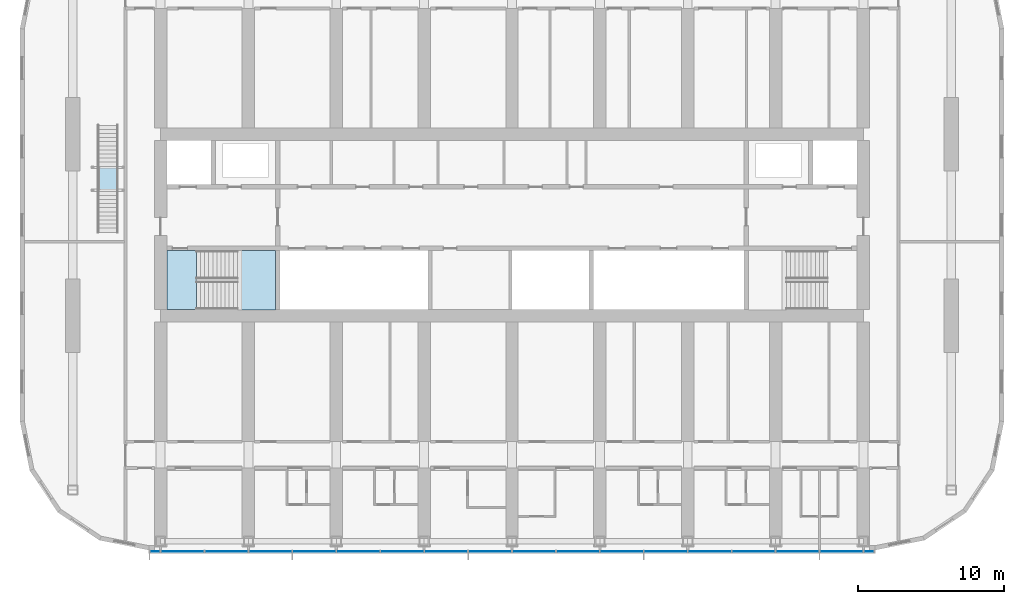
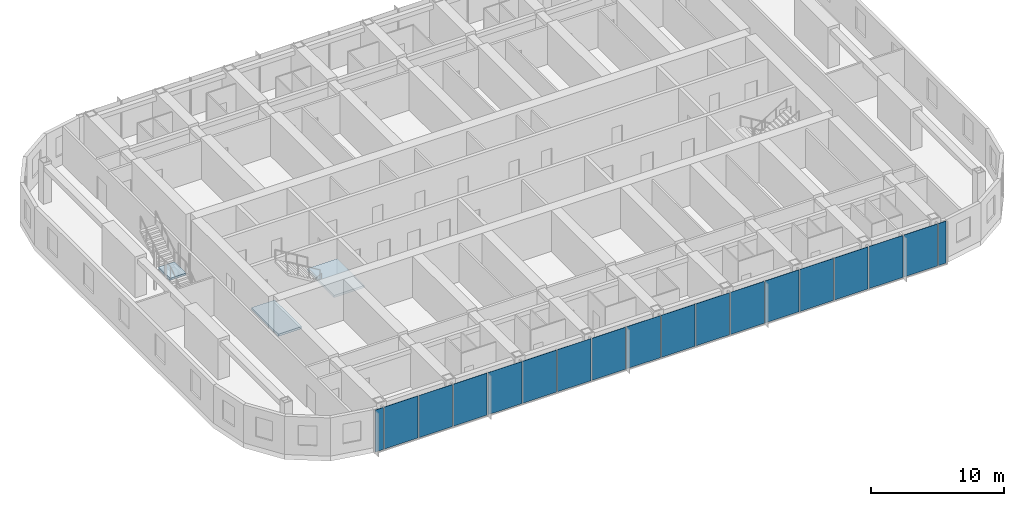
# One storey, part 9 of 27: 18 plates, 3 slabs, 3 elements without a shape of their own.
"""IFC4 building model written with IfcOpenShell, lengths in metres."""

import ifcopenshell
import ifcopenshell.guid

model = None  # the IFC model being written
_history = None  # IfcOwnerHistory: only IFC2X3 demands one
_inside = {}  # id of a spatial element -> (the spatial element, [elements in it])
_under = {}  # id of a project, library or spatial element -> (it, [spatial elements below it])
_declared = {}  # id of a project -> (the project, [libraries it declares])
_typed = {}  # id of a type object -> (the type object, [elements of that type])
_made_of = {}  # id of a material, layer set ... -> (it, [elements and type objects made of it])


def new_model(schema):
    """Start an empty IFC model of exactly this schema.

    Asked for "IFC4X3", IfcOpenShell would pick the latest addendum, in which some entities
    have other attributes; the version numbers below select the first issue.
    IFC2X3 requires an IfcOwnerHistory on every rooted entity: one is made here for all.
    """
    global model, _history
    if schema == "IFC4X3":
        model = ifcopenshell.file(schema_version=(4, 3, 0, 0))
    else:
        model = ifcopenshell.file(schema=schema)
    _inside.clear()
    _under.clear()
    _declared.clear()
    _typed.clear()
    _made_of.clear()
    _history = None
    if model.schema == "IFC2X3":
        org = make("IfcOrganization", Name="unknown")
        user = make(
            "IfcPersonAndOrganization",
            ThePerson=make("IfcPerson", FamilyName="unknown"),
            TheOrganization=org,
        )
        app = make(
            "IfcApplication",
            ApplicationDeveloper=org,
            Version="unknown",
            ApplicationFullName="unknown",
            ApplicationIdentifier="unknown",
        )
        _history = make(
            "IfcOwnerHistory",
            OwningUser=user,
            OwningApplication=app,
            ChangeAction="ADDED",
            CreationDate=0,
        )
    return model


def make(cls, **values):
    """One entity of the class cls with the attributes given. An attribute that is None is left unset."""
    return model.create_entity(
        cls, **{name: value for name, value in values.items() if value is not None}
    )


def rooted(cls, **values):
    """An entity with a GlobalId (a new one), such as an element, a storey or a relation."""
    return make(cls, GlobalId=ifcopenshell.guid.new(), OwnerHistory=_history, **values)


def si_unit(unit_type, name, prefix=None):
    """IfcSIUnit, for example si_unit("LENGTHUNIT", "METRE", prefix="MILLI")."""
    return make("IfcSIUnit", UnitType=unit_type, Prefix=prefix, Name=name)


def assignment(units):
    """IfcUnitAssignment: the units of a project."""
    return None if units is None else make("IfcUnitAssignment", Units=units)


def point(xyz):
    """IfcCartesianPoint."""
    return None if xyz is None else make("IfcCartesianPoint", Coordinates=xyz)


def direction(xyz):
    """IfcDirection."""
    return None if xyz is None else make("IfcDirection", DirectionRatios=xyz)


def frame(location, z_axis=None, x_axis=None):
    """IfcAxis2Placement3D, a coordinate frame: its origin and axes. An axis left out is left unset."""
    return make(
        "IfcAxis2Placement3D",
        Location=point(location),
        Axis=direction(z_axis),
        RefDirection=direction(x_axis),
    )


def frame_2d(location, x_axis=None):
    """IfcAxis2Placement2D, a coordinate frame in the plane: its origin and x axis."""
    return make(
        "IfcAxis2Placement2D", Location=point(location), RefDirection=direction(x_axis)
    )


def origin():
    """The frame at (0, 0, 0) with its axes left unset."""
    return frame((0.0, 0.0, 0.0))


def origin_2d():
    """The frame at (0, 0) in the plane with its x axis left unset."""
    return frame_2d((0.0, 0.0))


def place(relative_to, where):
    """IfcLocalPlacement: puts the frame where relative to a parent placement (None: the world)."""
    return make(
        "IfcLocalPlacement", PlacementRelTo=relative_to, RelativePlacement=where
    )


def context(
    kind, dimensions, precision=None, world=None, true_north=None, identifier=None
):
    """IfcGeometricRepresentationContext, for example the 3D "Model" context."""
    return make(
        "IfcGeometricRepresentationContext",
        ContextIdentifier=identifier,
        ContextType=kind,
        CoordinateSpaceDimension=dimensions,
        Precision=precision,
        WorldCoordinateSystem=world,
        TrueNorth=true_north,
    )


def subcontext(parent, identifier, kind, view, scale=None):
    """IfcGeometricRepresentationSubContext, for example "Body" below "Model"."""
    return make(
        "IfcGeometricRepresentationSubContext",
        ContextIdentifier=identifier,
        ContextType=kind,
        ParentContext=parent,
        TargetScale=scale,
        TargetView=view,
    )


def project(units=None, contexts=None):
    """IfcProject with its units and contexts."""
    return rooted(
        "IfcProject",
        Name="project",
        RepresentationContexts=contexts,
        UnitsInContext=assignment(units),
    )


def spatial(cls, under=None, at=None, **own):
    """A site, building, storey or space (cls), placed at a placement, below another one or the project."""
    s = rooted(cls, ObjectPlacement=at, **own)
    if under is not None:
        _under.setdefault(under.id(), (under, []))[1].append(s)
    return s


def polyline(points):
    """IfcPolyline through the points."""
    return make("IfcPolyline", Points=[point(p) for p in points])


def profile(cls, at=None, kind="AREA", **sizes):
    """A parametric profile (cls). Its sizes go by their IFC names, for example OverallWidth=200.0."""
    return make(cls, ProfileType=kind, Position=at, **sizes)


def rectangle(**sizes):
    """IfcRectangleProfileDef."""
    return profile("IfcRectangleProfileDef", **sizes)


def outline(outer, holes=None, kind="AREA"):
    """IfcArbitraryClosedProfileDef: a profile drawn as a closed curve; with holes, ...WithVoids."""
    if holes is None:
        return make("IfcArbitraryClosedProfileDef", ProfileType=kind, OuterCurve=outer)
    return make(
        "IfcArbitraryProfileDefWithVoids",
        ProfileType=kind,
        OuterCurve=outer,
        InnerCurves=holes,
    )


def extrude(swept, where, along, depth):
    """IfcExtrudedAreaSolid: the profile swept, set in the frame where, extruded along a direction by depth."""
    return make(
        "IfcExtrudedAreaSolid",
        SweptArea=swept,
        Position=where,
        ExtrudedDirection=direction(along),
        Depth=depth,
    )


def shape(context_of_items, identifier, shape_type, items):
    """IfcShapeRepresentation: the items that make up one representation, for example the "Body"."""
    return make(
        "IfcShapeRepresentation",
        ContextOfItems=context_of_items,
        RepresentationIdentifier=identifier,
        RepresentationType=shape_type,
        Items=items,
    )


def material(Name=None, Category=None):
    """IfcMaterial."""
    return make("IfcMaterial", Name=Name, Category=Category)


def layer(
    of_material, thickness, ventilated=None, Name=None, Category=None, Priority=None
):
    """IfcMaterialLayer: one layer of a wall or slab, of a material (None: an air gap)."""
    return make(
        "IfcMaterialLayer",
        Material=of_material,
        LayerThickness=thickness,
        IsVentilated=ventilated,
        Name=Name,
        Category=Category,
        Priority=Priority,
    )


def layer_set(layers, Name=None):
    """IfcMaterialLayerSet."""
    return make("IfcMaterialLayerSet", MaterialLayers=layers, LayerSetName=Name)


def made_of(thing, what):
    """Note that an element or type object is made of a material, layer set ...; save() writes the relation."""
    if what is not None:
        _made_of.setdefault(what.id(), (what, []))[1].append(thing)
    return thing


def type_object(cls, material=None, **own):
    """A type object (cls), such as IfcWallType, which elements share."""
    return made_of(rooted(cls, **own), material)


def element(
    cls,
    number,
    at=None,
    inside=None,
    cuts=None,
    type_object=None,
    material=None,
    context=None,
    identifier="Body",
    shape_type=None,
    held_by="IfcProductDefinitionShape",
    body=None,
    shapes=None,
    **own,
):
    """One element of the class cls, such as IfcWall. Its Tag is "e" and its number.

    at: its placement. inside: the storey or other place that contains it. cuts: it is an
    opening in that element (IfcRelVoidsElement). A single representation is given by context,
    identifier, shape_type and body (its items); several are given by shapes. held_by: the class
    of the entity that holds the representations. save() writes the other relations.
    """
    e = rooted(cls, Tag="e%d" % number, ObjectPlacement=at, **own)
    if body is not None:
        shapes = [shape(context, identifier, shape_type, body)]
    if shapes is not None:
        e.Representation = make(held_by, Representations=shapes)
    if inside is not None:
        _inside.setdefault(inside.id(), (inside, []))[1].append(e)
    if cuts is not None:
        rooted(
            "IfcRelVoidsElement", RelatingBuildingElement=cuts, RelatedOpeningElement=e
        )
    if type_object is not None:
        _typed.setdefault(type_object.id(), (type_object, []))[1].append(e)
    return made_of(e, material)


def aggregate(whole, parts):
    """IfcRelAggregates: a whole, such as a stair, and the parts it consists of."""
    return rooted("IfcRelAggregates", RelatingObject=whole, RelatedObjects=parts)


def save(model, path):
    """Write the relations noted so far, then the file.

    IfcRelAggregates (storeys below a building ...), IfcRelContainedInSpatialStructure (elements
    in a storey), IfcRelDefinesByType, IfcRelAssociatesMaterial and IfcRelDeclares: one each for
    every whole, place, type object, material and project.
    """
    for whole, parts in _under.values():
        aggregate(whole, parts)
    for where, things in _inside.values():
        rooted(
            "IfcRelContainedInSpatialStructure",
            RelatedElements=things,
            RelatingStructure=where,
        )
    for kind, things in _typed.values():
        rooted("IfcRelDefinesByType", RelatedObjects=things, RelatingType=kind)
    for what, things in _made_of.values():
        rooted("IfcRelAssociatesMaterial", RelatedObjects=things, RelatingMaterial=what)
    for by, libraries in _declared.values():
        rooted("IfcRelDeclares", RelatingContext=by, RelatedDefinitions=libraries)
    model.write(path)


model = new_model("IFC4")

# Units and contexts
model_context = context("Model", 3, precision=1e-05, world=origin(), true_north=direction((0.0, 1.0)))
body_context = subcontext(model_context, "Body", "Model", "MODEL_VIEW")
ifc_project = project(units=[si_unit("LENGTHUNIT", "METRE"), si_unit("AREAUNIT", "SQUARE_METRE"), si_unit("VOLUMEUNIT", "CUBIC_METRE"), si_unit("PLANEANGLEUNIT", "RADIAN"), si_unit("MASSUNIT", "GRAM", prefix="KILO")], contexts=[model_context])

# Site, building, storey
site_placement = place(None, origin())
site = spatial("IfcSite", under=ifc_project, at=site_placement, CompositionType="ELEMENT")
building_placement = place(site_placement, origin())
building = spatial("IfcBuilding", under=site, at=building_placement, Name="Orbita Commons", CompositionType="ELEMENT")
storey_placement = place(building_placement, frame((0.0, 0.0, 178.60009765625)))
storey = spatial("IfcBuildingStorey", under=building, at=storey_placement, Name="L44", CompositionType="ELEMENT", Elevation=178.60009765625)

# Stair, slab
ifc_material_1 = material(Name="Steel ASTM A992 stringers, precast concrete C40/50 terrazzo treads", Category="concrete")
stair_type_1 = type_object("IfcStairType", Name="Feature stair 22 risers 170 x 280 x 1400", PredefinedType="STRAIGHT_RUN_STAIR", material=ifc_material_1)
stair_1_placement = place(storey_placement, origin())
stair_1 = element("IfcStair", 1, at=stair_1_placement, inside=storey, type_object=stair_type_1, Name="Neighbourhood stair L44 to L45", PredefinedType="STRAIGHT_RUN_STAIR")
ifc_material_2 = material(Name="Concrete C40/50", Category="concrete")
ifc_layer_1 = layer(ifc_material_2, 0.199951171875)
ifc_layer_set_1 = layer_set([ifc_layer_1], Name="Concrete C40/50")
slab_type_1 = type_object("IfcSlabType", Name="Feature stair landing 200", PredefinedType="LANDING", material=ifc_layer_set_1)
slab_1_placement = place(storey_placement, frame((0.0, 0.0, 1.6748046875)))
slab_1 = element("IfcSlab", 2, at=slab_1_placement, type_object=slab_type_1, Name="FS landing 1", PredefinedType="LANDING", context=body_context, shape_type="SweptSolid", body=[
    extrude(outline(polyline([(13.699951171875, 34.300048828125), (15.10009765625, 34.300048828125), (15.10009765625, 36.010009765625), (13.699951171875, 36.010009765625), (13.699951171875, 34.300048828125)])), origin(), (0.0, 0.0, 1.0), 0.2001953125),
])
aggregate(stair_1, [slab_1])

# Curtain wall, plates
ifc_material_3 = material(Name="Anodised aluminium frame, pale silver", Category="aluminium")
curtain_wall_type = type_object("IfcCurtainWallType", Name="Unitised curtain wall CW-U, full-height vision", PredefinedType="NOTDEFINED", material=ifc_material_3)
curtain_wall_placement = place(storey_placement, origin())
curtain_wall = element("IfcCurtainWall", 3, at=curtain_wall_placement, inside=storey, type_object=curtain_wall_type, Name="Curtain wall south L44", PredefinedType="NOTDEFINED")
ifc_material_4 = material(Name="Clear double glazing", Category="glass")
ifc_layer_2 = layer(ifc_material_4, 0.031982421875)
ifc_layer_set_2 = layer_set([ifc_layer_2], Name="Clear double glazing")
plate_type = type_object("IfcPlateType", Name="Full-height vision panel, clear glazing 32", PredefinedType="CURTAIN_PANEL", material=ifc_layer_set_2)
plate_1_placement = place(storey_placement, frame((17.6201171875, 9.68994140625, -0.35009765625), z_axis=(0.0, 0.0, 1.0), x_axis=(1.0, 0.0, 0.0)))
plate_1 = element("IfcPlate", 4, at=plate_1_placement, type_object=plate_type, Name="Panel 1.1 CW-L44-S", PredefinedType="CURTAIN_PANEL", context=body_context, shape_type="SweptSolid", body=[
    extrude(rectangle(XDim=0.679931640625, YDim=0.031982421875, at=origin_2d()), origin(), (0.0, 0.0, 1.0), 3.85009765625),
])
plate_2_placement = place(storey_placement, frame((19.5, 9.68994140625, -0.35009765625), z_axis=(0.0, 0.0, 1.0), x_axis=(1.0, 0.0, 0.0)))
plate_2 = element("IfcPlate", 5, at=plate_2_placement, type_object=plate_type, Name="Panel 2.1 CW-L44-S", PredefinedType="CURTAIN_PANEL", context=body_context, shape_type="SweptSolid", body=[
    extrude(rectangle(XDim=2.919921875, YDim=0.031982421875, at=origin_2d()), origin(), (0.0, 0.0, 1.0), 3.85009765625),
])
plate_3_placement = place(storey_placement, frame((22.5, 9.68994140625, -0.35009765625), z_axis=(0.0, 0.0, 1.0), x_axis=(1.0, 0.0, 0.0)))
plate_3 = element("IfcPlate", 6, at=plate_3_placement, type_object=plate_type, Name="Panel 3.1 CW-L44-S", PredefinedType="CURTAIN_PANEL", context=body_context, shape_type="SweptSolid", body=[
    extrude(rectangle(XDim=2.919921875, YDim=0.031982421875, at=origin_2d()), origin(), (0.0, 0.0, 1.0), 3.85009765625),
])
plate_4_placement = place(storey_placement, frame((25.5, 9.68994140625, -0.35009765625), z_axis=(0.0, 0.0, 1.0), x_axis=(1.0, 0.0, 0.0)))
plate_4 = element("IfcPlate", 7, at=plate_4_placement, type_object=plate_type, Name="Panel 4.1 CW-L44-S", PredefinedType="CURTAIN_PANEL", context=body_context, shape_type="SweptSolid", body=[
    extrude(rectangle(XDim=2.919921875, YDim=0.031982421875, at=origin_2d()), origin(), (0.0, 0.0, 1.0), 3.85009765625),
])
plate_5_placement = place(storey_placement, frame((28.5, 9.68994140625, -0.35009765625), z_axis=(0.0, 0.0, 1.0), x_axis=(1.0, 0.0, 0.0)))
plate_5 = element("IfcPlate", 8, at=plate_5_placement, type_object=plate_type, Name="Panel 5.1 CW-L44-S", PredefinedType="CURTAIN_PANEL", context=body_context, shape_type="SweptSolid", body=[
    extrude(rectangle(XDim=2.919921875, YDim=0.031982421875, at=origin_2d()), origin(), (0.0, 0.0, 1.0), 3.85009765625),
])
plate_6_placement = place(storey_placement, frame((31.5, 9.68994140625, -0.35009765625), z_axis=(0.0, 0.0, 1.0), x_axis=(1.0, 0.0, 0.0)))
plate_6 = element("IfcPlate", 9, at=plate_6_placement, type_object=plate_type, Name="Panel 6.1 CW-L44-S", PredefinedType="CURTAIN_PANEL", context=body_context, shape_type="SweptSolid", body=[
    extrude(rectangle(XDim=2.919921875, YDim=0.031982421875, at=origin_2d()), origin(), (0.0, 0.0, 1.0), 3.85009765625),
])
plate_7_placement = place(storey_placement, frame((34.5, 9.68994140625, -0.35009765625), z_axis=(0.0, 0.0, 1.0), x_axis=(1.0, 0.0, 0.0)))
plate_7 = element("IfcPlate", 10, at=plate_7_placement, type_object=plate_type, Name="Panel 7.1 CW-L44-S", PredefinedType="CURTAIN_PANEL", context=body_context, shape_type="SweptSolid", body=[
    extrude(rectangle(XDim=2.919921875, YDim=0.031982421875, at=origin_2d()), origin(), (0.0, 0.0, 1.0), 3.85009765625),
])
plate_8_placement = place(storey_placement, frame((37.5, 9.68994140625, -0.35009765625), z_axis=(0.0, 0.0, 1.0), x_axis=(1.0, 0.0, 0.0)))
plate_8 = element("IfcPlate", 11, at=plate_8_placement, type_object=plate_type, Name="Panel 8.1 CW-L44-S", PredefinedType="CURTAIN_PANEL", context=body_context, shape_type="SweptSolid", body=[
    extrude(rectangle(XDim=2.919921875, YDim=0.031982421875, at=origin_2d()), origin(), (0.0, 0.0, 1.0), 3.85009765625),
])
plate_9_placement = place(storey_placement, frame((40.5, 9.68994140625, -0.35009765625), z_axis=(0.0, 0.0, 1.0), x_axis=(1.0, 0.0, 0.0)))
plate_9 = element("IfcPlate", 12, at=plate_9_placement, type_object=plate_type, Name="Panel 9.1 CW-L44-S", PredefinedType="CURTAIN_PANEL", context=body_context, shape_type="SweptSolid", body=[
    extrude(rectangle(XDim=2.919921875, YDim=0.031982421875, at=origin_2d()), origin(), (0.0, 0.0, 1.0), 3.85009765625),
])
plate_10_placement = place(storey_placement, frame((43.5, 9.68994140625, -0.35009765625), z_axis=(0.0, 0.0, 1.0), x_axis=(1.0, 0.0, 0.0)))
plate_10 = element("IfcPlate", 13, at=plate_10_placement, type_object=plate_type, Name="Panel 10.1 CW-L44-S", PredefinedType="CURTAIN_PANEL", context=body_context, shape_type="SweptSolid", body=[
    extrude(rectangle(XDim=2.919921875, YDim=0.031982421875, at=origin_2d()), origin(), (0.0, 0.0, 1.0), 3.85009765625),
])
plate_11_placement = place(storey_placement, frame((46.5, 9.68994140625, -0.35009765625), z_axis=(0.0, 0.0, 1.0), x_axis=(1.0, 0.0, 0.0)))
plate_11 = element("IfcPlate", 14, at=plate_11_placement, type_object=plate_type, Name="Panel 11.1 CW-L44-S", PredefinedType="CURTAIN_PANEL", context=body_context, shape_type="SweptSolid", body=[
    extrude(rectangle(XDim=2.919921875, YDim=0.031982421875, at=origin_2d()), origin(), (0.0, 0.0, 1.0), 3.85009765625),
])
plate_12_placement = place(storey_placement, frame((49.5, 9.68994140625, -0.35009765625), z_axis=(0.0, 0.0, 1.0), x_axis=(1.0, 0.0, 0.0)))
plate_12 = element("IfcPlate", 15, at=plate_12_placement, type_object=plate_type, Name="Panel 12.1 CW-L44-S", PredefinedType="CURTAIN_PANEL", context=body_context, shape_type="SweptSolid", body=[
    extrude(rectangle(XDim=2.919921875, YDim=0.031982421875, at=origin_2d()), origin(), (0.0, 0.0, 1.0), 3.85009765625),
])
plate_13_placement = place(storey_placement, frame((52.5, 9.68994140625, -0.35009765625), z_axis=(0.0, 0.0, 1.0), x_axis=(1.0, 0.0, 0.0)))
plate_13 = element("IfcPlate", 16, at=plate_13_placement, type_object=plate_type, Name="Panel 13.1 CW-L44-S", PredefinedType="CURTAIN_PANEL", context=body_context, shape_type="SweptSolid", body=[
    extrude(rectangle(XDim=2.919921875, YDim=0.031982421875, at=origin_2d()), origin(), (0.0, 0.0, 1.0), 3.85009765625),
])
plate_14_placement = place(storey_placement, frame((55.5, 9.68994140625, -0.35009765625), z_axis=(0.0, 0.0, 1.0), x_axis=(1.0, 0.0, 0.0)))
plate_14 = element("IfcPlate", 17, at=plate_14_placement, type_object=plate_type, Name="Panel 14.1 CW-L44-S", PredefinedType="CURTAIN_PANEL", context=body_context, shape_type="SweptSolid", body=[
    extrude(rectangle(XDim=2.919921875, YDim=0.031982421875, at=origin_2d()), origin(), (0.0, 0.0, 1.0), 3.85009765625),
])
plate_15_placement = place(storey_placement, frame((58.5, 9.68994140625, -0.35009765625), z_axis=(0.0, 0.0, 1.0), x_axis=(1.0, 0.0, 0.0)))
plate_15 = element("IfcPlate", 18, at=plate_15_placement, type_object=plate_type, Name="Panel 15.1 CW-L44-S", PredefinedType="CURTAIN_PANEL", context=body_context, shape_type="SweptSolid", body=[
    extrude(rectangle(XDim=2.919921875, YDim=0.031982421875, at=origin_2d()), origin(), (0.0, 0.0, 1.0), 3.85009765625),
])
plate_16_placement = place(storey_placement, frame((61.5, 9.68994140625, -0.35009765625), z_axis=(0.0, 0.0, 1.0), x_axis=(1.0, 0.0, 0.0)))
plate_16 = element("IfcPlate", 19, at=plate_16_placement, type_object=plate_type, Name="Panel 16.1 CW-L44-S", PredefinedType="CURTAIN_PANEL", context=body_context, shape_type="SweptSolid", body=[
    extrude(rectangle(XDim=2.919921875, YDim=0.031982421875, at=origin_2d()), origin(), (0.0, 0.0, 1.0), 3.85009765625),
])
plate_17_placement = place(storey_placement, frame((64.5, 9.68994140625, -0.35009765625), z_axis=(0.0, 0.0, 1.0), x_axis=(1.0, 0.0, 0.0)))
plate_17 = element("IfcPlate", 20, at=plate_17_placement, type_object=plate_type, Name="Panel 17.1 CW-L44-S", PredefinedType="CURTAIN_PANEL", context=body_context, shape_type="SweptSolid", body=[
    extrude(rectangle(XDim=2.919921875, YDim=0.031982421875, at=origin_2d()), origin(), (0.0, 0.0, 1.0), 3.85009765625),
])
plate_18_placement = place(storey_placement, frame((66.3798828125, 9.68994140625, -0.35009765625), z_axis=(0.0, 0.0, 1.0), x_axis=(1.0, 0.0, 0.0)))
plate_18 = element("IfcPlate", 21, at=plate_18_placement, type_object=plate_type, Name="Panel 18.1 CW-L44-S", PredefinedType="CURTAIN_PANEL", context=body_context, shape_type="SweptSolid", body=[
    extrude(rectangle(XDim=0.679931640625, YDim=0.031982421875, at=origin_2d()), origin(), (0.0, 0.0, 1.0), 3.85009765625),
])
aggregate(curtain_wall, [plate_1, plate_2, plate_3, plate_4, plate_5, plate_6, plate_7, plate_8, plate_9, plate_10, plate_11, plate_12, plate_13, plate_14, plate_15, plate_16, plate_17, plate_18])

# Stair, slabs
ifc_material_5 = material(Name="Precast concrete C40/50", Category="concrete")
stair_type_2 = type_object("IfcStairType", Name="Exit stair S1 2 flights 11 risers 170", PredefinedType="HALF_TURN_STAIR", material=ifc_material_5)
stair_2_placement = place(storey_placement, origin())
stair_2 = element("IfcStair", 22, at=stair_2_placement, inside=storey, type_object=stair_type_2, Name="Exit stair S1 L44", PredefinedType="HALF_TURN_STAIR")
ifc_material_6 = material(Name="Concrete C40/50", Category="concrete")
ifc_layer_3 = layer(ifc_material_6, 0.199951171875)
ifc_layer_set_3 = layer_set([ifc_layer_3], Name="Concrete C40/50")
slab_type_2 = type_object("IfcSlabType", Name="Stair landing 200", PredefinedType="LANDING", material=ifc_layer_set_3)
slab_2_placement = place(storey_placement, frame((0.0, 0.0, -0.2001953125)))
slab_2 = element("IfcSlab", 23, at=slab_2_placement, type_object=slab_type_2, Name="S1 landing 1", PredefinedType="LANDING", context=body_context, shape_type="SweptSolid", body=[
    extrude(outline(polyline([(18.425048828125, 26.22509765625), (20.449951171875, 26.22509765625), (20.449951171875, 30.25), (18.425048828125, 30.25), (18.425048828125, 26.22509765625)])), origin(), (0.0, 0.0, 1.0), 0.2001953125),
])
slab_3_placement = place(storey_placement, frame((0.0, 0.0, 1.6748046875)))
slab_3 = element("IfcSlab", 24, at=slab_3_placement, type_object=slab_type_2, Name="S1 landing 2", PredefinedType="LANDING", context=body_context, shape_type="SweptSolid", body=[
    extrude(outline(polyline([(23.25, 26.2099609375), (25.864990234375, 26.2099609375), (25.864990234375, 30.264892578125), (23.25, 30.264892578125), (23.25, 26.2099609375)])), origin(), (0.0, 0.0, 1.0), 0.2001953125),
])
aggregate(stair_2, [slab_2, slab_3])

save(model, "model.ifc")
